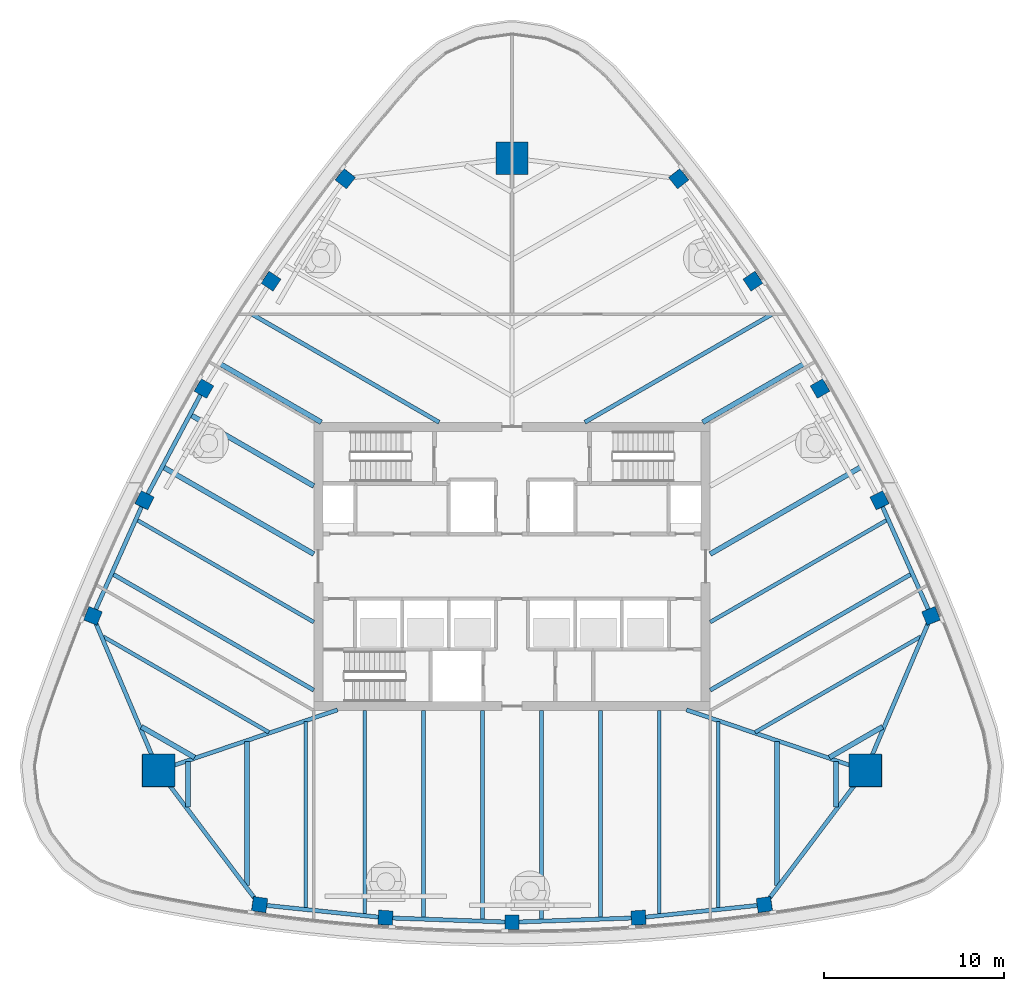
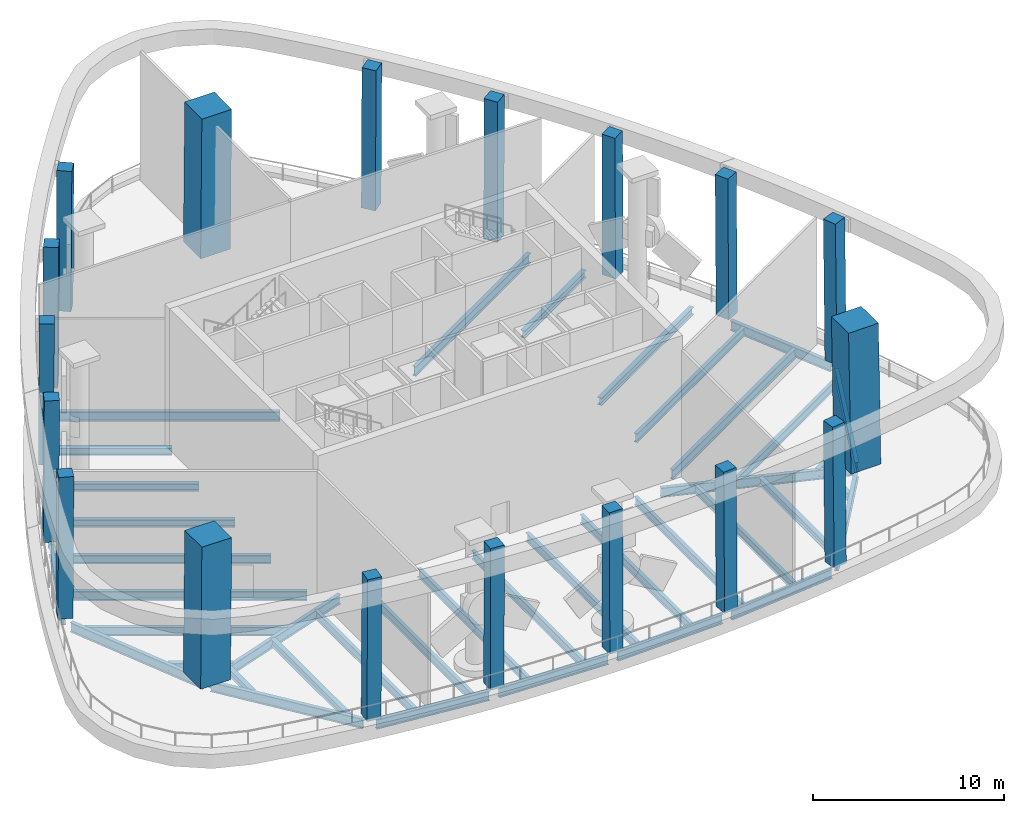
# One storey, part 1 of 12: 40 beams, 18 columns.
"""IFC4 building model written with IfcOpenShell, lengths in metres."""

from ifc_helpers import new_model, si_unit, direction, frame, origin, origin_2d, place, context, subcontext, project, spatial, rectangle, i_section, extrude, clip, halfspace, material, material_profile, profile_set, type_object, element, save


model = new_model("IFC4")

# Units and contexts
model_context = context("Model", 3, precision=1e-05, world=origin(), true_north=direction((0.0, 1.0)))
body_context = subcontext(model_context, "Body", "Model", "MODEL_VIEW")
ifc_project = project(units=[si_unit("LENGTHUNIT", "METRE"), si_unit("AREAUNIT", "SQUARE_METRE"), si_unit("VOLUMEUNIT", "CUBIC_METRE"), si_unit("PLANEANGLEUNIT", "RADIAN"), si_unit("MASSUNIT", "GRAM", prefix="KILO")], contexts=[model_context])

# Site, building, storey
site_placement = place(None, origin())
site = spatial("IfcSite", under=ifc_project, at=site_placement, CompositionType="ELEMENT")
building_placement = place(site_placement, origin())
building = spatial("IfcBuilding", under=site, at=building_placement, Name="Sierra Prisma Convention Tower", CompositionType="ELEMENT")
storey_placement = place(building_placement, frame((0.0, 0.0, 330.39990234375)))
storey = spatial("IfcBuildingStorey", under=building, at=storey_placement, Name="L75", CompositionType="ELEMENT", Elevation=330.39990234375)

# Columns
ifc_material_1 = material(Name="Concrete C50/60", Category="concrete")
ifc_material_profile_1 = material_profile(ifc_material_1, rectangle(XDim=1.800048828125, YDim=1.800048828125, at=origin_2d()), Name="Mega column RC 1800 C50/60")
ifc_profile_set_1 = profile_set([ifc_material_profile_1], Name="Concrete C50/60")
column_type_1 = type_object("IfcColumnType", Name="Mega column RC 1800 C50/60", PredefinedType="COLUMN", material=ifc_profile_set_1)
column_1_placement = place(storey_placement, frame((19.62451171875, -11.330078125, 0.0), z_axis=(-0.012314295745, 0.007079363853, 0.999899115275), x_axis=(0.999924176186, 8.7183991e-05, 0.012313987114)))
element("IfcColumn", 1, at=column_1_placement, inside=storey, type_object=column_type_1, Name="Mega column SE L75", PredefinedType="COLUMN", context=body_context, shape_type="SweptSolid", body=[
    clip(clip(extrude(rectangle(XDim=1.800048828125, YDim=1.800048828125, at=origin_2d()), origin(), (0.0, 0.0, 1.0), 9.0009765625), halfspace(frame((0.0, 0.0, 0.004638671875)), True)), halfspace(frame((0.0, 0.0, 8.991943359375)), False)),
])
column_2_placement = place(storey_placement, frame((0.0, 22.660400390625, 0.0), z_axis=(0.0, -0.014212973933, 0.999898990585), x_axis=(1.0, 0.0, 0.0)))
element("IfcColumn", 2, at=column_2_placement, inside=storey, type_object=column_type_1, Name="Mega column N L75", PredefinedType="COLUMN", context=body_context, shape_type="SweptSolid", body=[
    clip(clip(extrude(rectangle(XDim=1.800048828125, YDim=1.800048828125, at=origin_2d()), origin(), (0.0, 0.0, 1.0), 9.0009765625), halfspace(frame((0.0, 0.0, 0.00341796875)), True)), halfspace(frame((0.0, 0.0, 8.994140625)), False)),
])
column_3_placement = place(storey_placement, frame((-19.62451171875, -11.330078125, 0.0), z_axis=(0.012314295745, 0.007079363853, 0.999899115275), x_axis=(0.999924176186, -8.7183991e-05, -0.012313987114)))
element("IfcColumn", 3, at=column_3_placement, inside=storey, type_object=column_type_1, Name="Mega column SW L75", PredefinedType="COLUMN", context=body_context, shape_type="SweptSolid", body=[
    clip(clip(extrude(rectangle(XDim=1.800048828125, YDim=1.800048828125, at=origin_2d()), origin(), (0.0, 0.0, 1.0), 9.0009765625), halfspace(frame((0.0, 0.0, 0.004638671875)), True)), halfspace(frame((0.0, 0.0, 8.991943359375)), False)),
])
ifc_material_2 = material(Name="Concrete C50/60", Category="concrete")
ifc_material_profile_2 = material_profile(ifc_material_2, rectangle(XDim=0.800048828125, YDim=0.800048828125, at=origin_2d()), Name="Perimeter column RC 800 C50/60")
ifc_profile_set_2 = profile_set([ifc_material_profile_2], Name="Concrete C50/60")
column_type_2 = type_object("IfcColumnType", Name="Perimeter column RC 800 C50/60", PredefinedType="COLUMN", material=ifc_profile_set_2)
column_4_placement = place(storey_placement, frame((-14.01416015625, -18.7744140625, 0.0), z_axis=(0.007730807523, 0.004584233233, 0.999959608895), x_axis=(-0.990410412732, 0.137977794171, 0.007024433605)))
element("IfcColumn", 4, at=column_4_placement, inside=storey, type_object=column_type_2, Name="Perimeter column S-1 L75", PredefinedType="COLUMN", context=body_context, shape_type="SweptSolid", body=[
    clip(clip(extrude(rectangle(XDim=0.800048828125, YDim=0.800048828125, at=origin_2d()), origin(), (0.0, 0.0, 1.0), 9.000244140625), halfspace(frame((0.0, 0.0, 0.001708984375)), True)), halfspace(frame((0.0, 0.0, 8.99755859375)), False)),
])
column_5_placement = place(storey_placement, frame((-7.02392578125, -19.502685546875, 0.0), z_axis=(0.003879046283, 0.004964094195, 0.999980155187), x_axis=(-0.997599573797, 0.069156735942, 0.00352650435)))
element("IfcColumn", 5, at=column_5_placement, inside=storey, type_object=column_type_2, Name="Perimeter column S-2 L75", PredefinedType="COLUMN", context=body_context, shape_type="SweptSolid", body=[
    clip(clip(extrude(rectangle(XDim=0.800048828125, YDim=0.800048828125, at=origin_2d()), origin(), (0.0, 0.0, 1.0), 9.000244140625), halfspace(frame((0.0, 0.0, 0.001220703125)), True)), halfspace(frame((0.0, 0.0, 8.998291015625)), False)),
])
column_6_placement = place(storey_placement, frame((0.0, -19.74560546875, 0.0), z_axis=(0.0, 0.005072634388, 0.999987134107), x_axis=(1.0, 0.0, 0.0)))
element("IfcColumn", 6, at=column_6_placement, inside=storey, type_object=column_type_2, Name="Perimeter column S-3 L75", PredefinedType="COLUMN", context=body_context, shape_type="SweptSolid", body=[
    clip(clip(extrude(rectangle(XDim=0.800048828125, YDim=0.800048828125, at=origin_2d()), origin(), (0.0, 0.0, 1.0), 9.0), halfspace(frame((0.0, 0.0, 0.000732421875)), True)), halfspace(frame((0.0, 0.0, 8.998779296875)), False)),
])
column_7_placement = place(storey_placement, frame((7.02392578125, -19.502685546875, 0.0), z_axis=(-0.003879046283, 0.004964094195, 0.999980155187), x_axis=(0.997599573797, 0.069156735942, 0.00352650435)))
element("IfcColumn", 7, at=column_7_placement, inside=storey, type_object=column_type_2, Name="Perimeter column S-4 L75", PredefinedType="COLUMN", context=body_context, shape_type="SweptSolid", body=[
    clip(clip(extrude(rectangle(XDim=0.800048828125, YDim=0.800048828125, at=origin_2d()), origin(), (0.0, 0.0, 1.0), 9.000244140625), halfspace(frame((0.0, 0.0, 0.001220703125)), True)), halfspace(frame((0.0, 0.0, 8.998291015625)), False)),
])
for number, where, z_axis, x_axis, name in (
    (8, (14.01416015625, -18.7744140625, 0.0), (-0.007730807523, 0.004584233233, 0.999959608895), (0.990410412732, 0.137977794171, 0.007024433605), "Perimeter column S-5 L75"),
    (9, (23.266357421875, -2.74951171875, 0.0), (-0.00786643411, 0.004394352848, 0.999959403615), (-0.375745247871, 0.926696342835, -0.007028291271), "Perimeter column NE-1 L75"),
):
    element("IfcColumn", number, at=place(storey_placement, frame(where, z_axis=z_axis, x_axis=x_axis)), inside=storey, type_object=column_type_2, Name=name, PredefinedType="COLUMN", context=body_context, shape_type="SweptSolid", body=[
        clip(clip(extrude(rectangle(XDim=0.800048828125, YDim=0.800048828125, at=origin_2d()), origin(), (0.0, 0.0, 1.0), 9.000244140625), halfspace(frame((0.0, 0.0, 0.001708984375)), True)), halfspace(frame((0.0, 0.0, 8.99755859375)), False)),
    ])
column_8_placement = place(storey_placement, frame((20.401611328125, 3.66845703125, 0.0), z_axis=(-0.006211900374, 0.00086803848, 0.999980329208), x_axis=(-0.438919479413, 0.898519557244, -0.003506542606)))
element("IfcColumn", 10, at=column_8_placement, inside=storey, type_object=column_type_2, Name="Perimeter column NE-2 L75", PredefinedType="COLUMN", context=body_context, shape_type="SweptSolid", body=[
    clip(clip(extrude(rectangle(XDim=0.800048828125, YDim=0.800048828125, at=origin_2d()), origin(), (0.0, 0.0, 1.0), 9.000244140625), halfspace(frame((0.0, 0.0, 0.001220703125)), True)), halfspace(frame((0.0, 0.0, 8.998291015625)), False)),
])
column_9_placement = place(storey_placement, frame((17.100341796875, 9.872802734375, 0.0), z_axis=(-0.004394474833, -0.002522754071, 0.999987162069), x_axis=(-0.499995172124, 0.866028191052, -1.2440216e-05)))
element("IfcColumn", 11, at=column_9_placement, inside=storey, type_object=column_type_2, Name="Perimeter column NE-3 L75", PredefinedType="COLUMN", context=body_context, shape_type="SweptSolid", body=[
    clip(clip(extrude(rectangle(XDim=0.800048828125, YDim=0.800048828125, at=origin_2d()), origin(), (0.0, 0.0, 1.0), 9.0), halfspace(frame((0.0, 0.0, 0.000732421875)), True)), halfspace(frame((0.0, 0.0, 8.998779296875)), False)),
])
column_10_placement = place(storey_placement, frame((13.377685546875, 15.834228515625, 0.0), z_axis=(-0.002332853282, -0.005832133204, 0.999980271814), x_axis=(-0.558677610991, 0.829377380486, 0.003533796177)))
element("IfcColumn", 12, at=column_10_placement, inside=storey, type_object=column_type_2, Name="Perimeter column NE-4 L75", PredefinedType="COLUMN", context=body_context, shape_type="SweptSolid", body=[
    clip(clip(extrude(rectangle(XDim=0.800048828125, YDim=0.800048828125, at=origin_2d()), origin(), (0.0, 0.0, 1.0), 9.000244140625), halfspace(frame((0.0, 0.0, 0.001220703125)), True)), halfspace(frame((0.0, 0.0, 8.998291015625)), False)),
])
for number, where, z_axis, x_axis, name in (
    (13, (9.252197265625, 21.52392578125, 0.0), (-0.000135628179, -0.009005711089, 0.999959438564), (-0.614683130419, 0.788742903153, 0.007020107102), "Perimeter column NE-5 L75"),
    (14, (-9.252197265625, 21.52392578125, 0.0), (0.000135628179, -0.009005711089, 0.999959438564), (0.614683130419, 0.788742903153, 0.007020107102), "Perimeter column NW-1 L75"),
):
    element("IfcColumn", number, at=place(storey_placement, frame(where, z_axis=z_axis, x_axis=x_axis)), inside=storey, type_object=column_type_2, Name=name, PredefinedType="COLUMN", context=body_context, shape_type="SweptSolid", body=[
        clip(clip(extrude(rectangle(XDim=0.800048828125, YDim=0.800048828125, at=origin_2d()), origin(), (0.0, 0.0, 1.0), 9.000244140625), halfspace(frame((0.0, 0.0, 0.001708984375)), True)), halfspace(frame((0.0, 0.0, 8.99755859375)), False)),
    ])
column_11_placement = place(storey_placement, frame((-13.377685546875, 15.834228515625, 0.0), z_axis=(0.002332853282, -0.005832133204, 0.999980271814), x_axis=(0.558677610991, 0.829377380486, 0.003533796177)))
element("IfcColumn", 15, at=column_11_placement, inside=storey, type_object=column_type_2, Name="Perimeter column NW-2 L75", PredefinedType="COLUMN", context=body_context, shape_type="SweptSolid", body=[
    clip(clip(extrude(rectangle(XDim=0.800048828125, YDim=0.800048828125, at=origin_2d()), origin(), (0.0, 0.0, 1.0), 9.000244140625), halfspace(frame((0.0, 0.0, 0.001220703125)), True)), halfspace(frame((0.0, 0.0, 8.998291015625)), False)),
])
column_12_placement = place(storey_placement, frame((-17.100341796875, 9.872802734375, 0.0), z_axis=(0.004394474833, -0.002522754071, 0.999987162069), x_axis=(0.499995172124, 0.866028191052, -1.2440216e-05)))
element("IfcColumn", 16, at=column_12_placement, inside=storey, type_object=column_type_2, Name="Perimeter column NW-3 L75", PredefinedType="COLUMN", context=body_context, shape_type="SweptSolid", body=[
    clip(clip(extrude(rectangle(XDim=0.800048828125, YDim=0.800048828125, at=origin_2d()), origin(), (0.0, 0.0, 1.0), 9.0), halfspace(frame((0.0, 0.0, 0.000732421875)), True)), halfspace(frame((0.0, 0.0, 8.998779296875)), False)),
])
column_13_placement = place(storey_placement, frame((-20.401611328125, 3.66845703125, 0.0), z_axis=(0.006211900374, 0.00086803848, 0.999980329208), x_axis=(0.438919479413, 0.898519557244, -0.003506542606)))
element("IfcColumn", 17, at=column_13_placement, inside=storey, type_object=column_type_2, Name="Perimeter column NW-4 L75", PredefinedType="COLUMN", context=body_context, shape_type="SweptSolid", body=[
    clip(clip(extrude(rectangle(XDim=0.800048828125, YDim=0.800048828125, at=origin_2d()), origin(), (0.0, 0.0, 1.0), 9.000244140625), halfspace(frame((0.0, 0.0, 0.001220703125)), True)), halfspace(frame((0.0, 0.0, 8.998291015625)), False)),
])
column_14_placement = place(storey_placement, frame((-23.266357421875, -2.74951171875, 0.0), z_axis=(0.00786643411, 0.004394352848, 0.999959403615), x_axis=(0.375745247871, 0.926696342835, -0.007028291271)))
element("IfcColumn", 18, at=column_14_placement, inside=storey, type_object=column_type_2, Name="Perimeter column NW-5 L75", PredefinedType="COLUMN", context=body_context, shape_type="SweptSolid", body=[
    clip(clip(extrude(rectangle(XDim=0.800048828125, YDim=0.800048828125, at=origin_2d()), origin(), (0.0, 0.0, 1.0), 9.000244140625), halfspace(frame((0.0, 0.0, 0.001708984375)), True)), halfspace(frame((0.0, 0.0, 8.99755859375)), False)),
])

# Beams
ifc_material_3 = material(Name="Steel ASTM A992 Gr 50", Category="steel")
ifc_material_profile_3 = material_profile(ifc_material_3, i_section(OverallWidth=0.280029296875, OverallDepth=0.462890625, WebThickness=0.0107421875, FlangeThickness=0.017333984375, at=origin_2d()), Name="W460x113")
ifc_profile_set_3 = profile_set([ifc_material_profile_3], Name="Steel ASTM A992 Gr 50")
beam_type_1 = type_object("IfcBeamType", Name="Plant floor joist W460x113", PredefinedType="JOIST", material=ifc_profile_set_3)
beam_1_placement = place(storey_placement, frame((-17.989013671875, -13.359130859375, -0.4814453125), z_axis=(0.0, 1.0, 0.0), x_axis=(-1.0, 0.0, 0.0)))
element("IfcBeam", 19, at=beam_1_placement, inside=storey, type_object=beam_type_1, Name="Floor joist L75 S01", PredefinedType="JOIST", context=body_context, shape_type="SweptSolid", body=[
    extrude(i_section(OverallWidth=0.280029296875, OverallDepth=0.462890625, WebThickness=0.0107421875, FlangeThickness=0.017333984375, at=origin_2d()), origin(), (0.0, 0.0, 1.0), 2.53515625),
])
for number, where, z_axis, x_axis, name in (
    (20, (-14.71826171875, -17.69921875, -0.4814453125), (0.0, 1.0, 0.0), (-1.0, 0.0, 0.0), "Floor joist L75 S02"),
    (21, (14.71826171875, -17.69921875, -0.4814453125), (0.0, 1.0, 0.0), (-1.0, 0.0, 0.0), "Floor joist L75 S11"),
):
    element("IfcBeam", number, at=place(storey_placement, frame(where, z_axis=z_axis, x_axis=x_axis)), inside=storey, type_object=beam_type_1, Name=name, PredefinedType="JOIST", context=body_context, shape_type="SweptSolid", body=[
        extrude(i_section(OverallWidth=0.280029296875, OverallDepth=0.462890625, WebThickness=0.0107421875, FlangeThickness=0.017333984375, at=origin_2d()), origin(), (0.0, 0.0, 1.0), 7.98388671875),
    ])
beam_2_placement = place(storey_placement, frame((17.989013671875, -13.359130859375, -0.4814453125), z_axis=(0.0, 1.0, 0.0), x_axis=(-1.0, 0.0, 0.0)))
element("IfcBeam", 22, at=beam_2_placement, inside=storey, type_object=beam_type_1, Name="Floor joist L75 S12", PredefinedType="JOIST", context=body_context, shape_type="SweptSolid", body=[
    extrude(i_section(OverallWidth=0.280029296875, OverallDepth=0.462890625, WebThickness=0.0107421875, FlangeThickness=0.017333984375, at=origin_2d()), origin(), (0.0, 0.0, 1.0), 2.53515625),
])
beam_3_placement = place(storey_placement, frame((20.563720703125, -8.8994140625, -0.4814453125), z_axis=(-0.866005207655, -0.500034979091, 0.0), x_axis=(0.500034979091, -0.866005207655, 0.0)))
element("IfcBeam", 23, at=beam_3_placement, inside=storey, type_object=beam_type_1, Name="Floor joist L75 NE01", PredefinedType="JOIST", context=body_context, shape_type="SweptSolid", body=[
    extrude(i_section(OverallWidth=0.280029296875, OverallDepth=0.462890625, WebThickness=0.0107421875, FlangeThickness=0.017333984375, at=origin_2d()), origin(), (0.0, 0.0, 1.0), 3.403564453125),
])
beam_4_placement = place(storey_placement, frame((19.349853515625, 5.506591796875, -0.4814453125), z_axis=(-0.866024927445, -0.500000825044, 0.0), x_axis=(0.500000825044, -0.866024927445, 0.0)))
element("IfcBeam", 24, at=beam_4_placement, inside=storey, type_object=beam_type_1, Name="Floor joist L75 NE05", PredefinedType="JOIST", context=body_context, shape_type="SweptSolid", body=[
    extrude(i_section(OverallWidth=0.280029296875, OverallDepth=0.462890625, WebThickness=0.0107421875, FlangeThickness=0.017333984375, at=origin_2d()), origin(), (0.0, 0.0, 1.0), 9.6416015625),
])
for number, where, z_axis, x_axis, name in (
    (25, (16.17724609375, 11.228271484375, -0.4814453125), (-0.866026275099, -0.499998490837, 0.0), (0.499998490837, -0.866026275099, 0.0), "Floor joist L75 NE07"),
    (26, (-16.17724609375, 11.228271484375, -0.4814453125), (0.866026275099, -0.499998490837, 0.0), (0.499998490837, 0.866026275099, 0.0), "Floor joist L75 NW06"),
):
    element("IfcBeam", number, at=place(storey_placement, frame(where, z_axis=z_axis, x_axis=x_axis)), inside=storey, type_object=beam_type_1, Name=name, PredefinedType="JOIST", context=body_context, shape_type="SweptSolid", body=[
        extrude(i_section(OverallWidth=0.280029296875, OverallDepth=0.462890625, WebThickness=0.0107421875, FlangeThickness=0.017333984375, at=origin_2d()), origin(), (0.0, 0.0, 1.0), 6.45654296875),
    ])
beam_5_placement = place(storey_placement, frame((-17.8125, 8.395751953125, -0.4814453125), z_axis=(0.866017097294, -0.500014386988, 0.0), x_axis=(0.500014386988, 0.866017097294, 0.0)))
element("IfcBeam", 27, at=beam_5_placement, inside=storey, type_object=beam_type_1, Name="Floor joist L75 NW07", PredefinedType="JOIST", context=body_context, shape_type="SweptSolid", body=[
    extrude(i_section(OverallWidth=0.280029296875, OverallDepth=0.462890625, WebThickness=0.0107421875, FlangeThickness=0.017333984375, at=origin_2d()), origin(), (0.0, 0.0, 1.0), 7.866455078125),
])
beam_6_placement = place(storey_placement, frame((-19.349853515625, 5.506591796875, -0.4814453125), z_axis=(0.866024927445, -0.500000825044, 0.0), x_axis=(0.500000825044, 0.866024927445, 0.0)))
element("IfcBeam", 28, at=beam_6_placement, inside=storey, type_object=beam_type_1, Name="Floor joist L75 NW08", PredefinedType="JOIST", context=body_context, shape_type="SweptSolid", body=[
    extrude(i_section(OverallWidth=0.280029296875, OverallDepth=0.462890625, WebThickness=0.0107421875, FlangeThickness=0.017333984375, at=origin_2d()), origin(), (0.0, 0.0, 1.0), 9.6416015625),
])
beam_7_placement = place(storey_placement, frame((-20.563720703125, -8.8994140625, -0.4814453125), z_axis=(0.866005207655, -0.500034979091, 0.0), x_axis=(0.500034979091, 0.866005207655, 0.0)))
element("IfcBeam", 29, at=beam_7_placement, inside=storey, type_object=beam_type_1, Name="Floor joist L75 NW12", PredefinedType="JOIST", context=body_context, shape_type="SweptSolid", body=[
    extrude(i_section(OverallWidth=0.280029296875, OverallDepth=0.462890625, WebThickness=0.0107421875, FlangeThickness=0.017333984375, at=origin_2d()), origin(), (0.0, 0.0, 1.0), 3.403564453125),
])
ifc_material_4 = material(Name="Steel ASTM A992 Gr 50", Category="steel")
ifc_material_profile_4 = material_profile(ifc_material_4, i_section(OverallWidth=0.2119140625, OverallDepth=0.5439453125, WebThickness=0.01318359375, FlangeThickness=0.021240234375, at=origin_2d()), Name="W530x123")
ifc_profile_set_4 = profile_set([ifc_material_profile_4], Name="Steel ASTM A992 Gr 50")
beam_type_2 = type_object("IfcBeamType", Name="Plant floor joist W530x123", PredefinedType="JOIST", material=ifc_profile_set_4)
beam_8_placement = place(storey_placement, frame((-11.447509765625, -18.976318359375, -0.52197265625), z_axis=(0.0, 1.0, 0.0), x_axis=(-1.0, 0.0, 0.0)))
element("IfcBeam", 30, at=beam_8_placement, inside=storey, type_object=beam_type_2, Name="Floor joist L75 S03", PredefinedType="JOIST", context=body_context, shape_type="SweptSolid", body=[
    extrude(i_section(OverallWidth=0.2119140625, OverallDepth=0.5439453125, WebThickness=0.01318359375, FlangeThickness=0.021240234375, at=origin_2d()), origin(), (0.0, 0.0, 1.0), 10.36962890625),
])
beam_9_placement = place(storey_placement, frame((-8.1767578125, -19.31689453125, -0.52197265625), z_axis=(0.0, 1.0, 0.0), x_axis=(-1.0, 0.0, 0.0)))
element("IfcBeam", 31, at=beam_9_placement, inside=storey, type_object=beam_type_2, Name="Floor joist L75 S04", PredefinedType="JOIST", context=body_context, shape_type="SweptSolid", body=[
    extrude(i_section(OverallWidth=0.2119140625, OverallDepth=0.5439453125, WebThickness=0.01318359375, FlangeThickness=0.021240234375, at=origin_2d()), origin(), (0.0, 0.0, 1.0), 11.31689453125),
])
beam_10_placement = place(storey_placement, frame((-4.906005859375, -19.5107421875, -0.52197265625), z_axis=(0.0, 1.0, 0.0), x_axis=(-1.0, 0.0, 0.0)))
element("IfcBeam", 32, at=beam_10_placement, inside=storey, type_object=beam_type_2, Name="Floor joist L75 S05", PredefinedType="JOIST", context=body_context, shape_type="SweptSolid", body=[
    extrude(i_section(OverallWidth=0.2119140625, OverallDepth=0.5439453125, WebThickness=0.01318359375, FlangeThickness=0.021240234375, at=origin_2d()), origin(), (0.0, 0.0, 1.0), 11.5107421875),
])
for number, where, z_axis, x_axis, name in (
    (33, (-1.63525390625, -19.6240234375, -0.52197265625), (0.0, 1.0, 0.0), (-1.0, 0.0, 0.0), "Floor joist L75 S06"),
    (34, (1.63525390625, -19.6240234375, -0.52197265625), (0.0, 1.0, 0.0), (-1.0, 0.0, 0.0), "Floor joist L75 S07"),
):
    element("IfcBeam", number, at=place(storey_placement, frame(where, z_axis=z_axis, x_axis=x_axis)), inside=storey, type_object=beam_type_2, Name=name, PredefinedType="JOIST", context=body_context, shape_type="SweptSolid", body=[
        extrude(i_section(OverallWidth=0.2119140625, OverallDepth=0.5439453125, WebThickness=0.01318359375, FlangeThickness=0.021240234375, at=origin_2d()), origin(), (0.0, 0.0, 1.0), 11.6240234375),
    ])
beam_11_placement = place(storey_placement, frame((4.906005859375, -19.5107421875, -0.52197265625), z_axis=(0.0, 1.0, 0.0), x_axis=(-1.0, 0.0, 0.0)))
element("IfcBeam", 35, at=beam_11_placement, inside=storey, type_object=beam_type_2, Name="Floor joist L75 S08", PredefinedType="JOIST", context=body_context, shape_type="SweptSolid", body=[
    extrude(i_section(OverallWidth=0.2119140625, OverallDepth=0.5439453125, WebThickness=0.01318359375, FlangeThickness=0.021240234375, at=origin_2d()), origin(), (0.0, 0.0, 1.0), 11.5107421875),
])
beam_12_placement = place(storey_placement, frame((8.1767578125, -19.31689453125, -0.52197265625), z_axis=(0.0, 1.0, 0.0), x_axis=(-1.0, 0.0, 0.0)))
element("IfcBeam", 36, at=beam_12_placement, inside=storey, type_object=beam_type_2, Name="Floor joist L75 S09", PredefinedType="JOIST", context=body_context, shape_type="SweptSolid", body=[
    extrude(i_section(OverallWidth=0.2119140625, OverallDepth=0.5439453125, WebThickness=0.01318359375, FlangeThickness=0.021240234375, at=origin_2d()), origin(), (0.0, 0.0, 1.0), 11.31689453125),
])
beam_13_placement = place(storey_placement, frame((11.447509765625, -18.976318359375, -0.52197265625), z_axis=(0.0, 1.0, 0.0), x_axis=(-1.0, 0.0, 0.0)))
element("IfcBeam", 37, at=beam_13_placement, inside=storey, type_object=beam_type_2, Name="Floor joist L75 S10", PredefinedType="JOIST", context=body_context, shape_type="SweptSolid", body=[
    extrude(i_section(OverallWidth=0.2119140625, OverallDepth=0.5439453125, WebThickness=0.01318359375, FlangeThickness=0.021240234375, at=origin_2d()), origin(), (0.0, 0.0, 1.0), 10.36962890625),
])
beam_14_placement = place(storey_placement, frame((22.68701171875, -3.896728515625, -0.52197265625), z_axis=(-0.866025101874, -0.500000522924, 0.0), x_axis=(0.500000522924, -0.866025101874, 0.0)))
element("IfcBeam", 38, at=beam_14_placement, inside=storey, type_object=beam_type_2, Name="Floor joist L75 NE02", PredefinedType="JOIST", context=body_context, shape_type="SweptSolid", body=[
    extrude(i_section(OverallWidth=0.2119140625, OverallDepth=0.5439453125, WebThickness=0.01318359375, FlangeThickness=0.021240234375, at=origin_2d()), origin(), (0.0, 0.0, 1.0), 10.61474609375),
])
for number, where, z_axis, x_axis, name in (
    (39, (20.8173828125, 2.5771484375, -0.52197265625), (-0.866029218166, -0.499993393239, 0.0), (0.499993393239, -0.866029218166, 0.0), "Floor joist L75 NE04"),
    (40, (-20.8173828125, 2.5771484375, -0.52197265625), (0.866029218166, -0.499993393239, 0.0), (0.499993393239, 0.866029218166, 0.0), "Floor joist L75 NW09"),
):
    element("IfcBeam", number, at=place(storey_placement, frame(where, z_axis=z_axis, x_axis=x_axis)), inside=storey, type_object=beam_type_2, Name=name, PredefinedType="JOIST", context=body_context, shape_type="SweptSolid", body=[
        extrude(i_section(OverallWidth=0.2119140625, OverallDepth=0.5439453125, WebThickness=0.01318359375, FlangeThickness=0.021240234375, at=origin_2d()), origin(), (0.0, 0.0, 1.0), 11.336181640625),
    ])
beam_15_placement = place(storey_placement, frame((-22.68701171875, -3.896728515625, -0.52197265625), z_axis=(0.866025101874, -0.500000522924, 0.0), x_axis=(0.500000522924, 0.866025101874, 0.0)))
element("IfcBeam", 41, at=beam_15_placement, inside=storey, type_object=beam_type_2, Name="Floor joist L75 NW11", PredefinedType="JOIST", context=body_context, shape_type="SweptSolid", body=[
    extrude(i_section(OverallWidth=0.2119140625, OverallDepth=0.5439453125, WebThickness=0.01318359375, FlangeThickness=0.021240234375, at=origin_2d()), origin(), (0.0, 0.0, 1.0), 10.61474609375),
])
ifc_material_5 = material(Name="Steel ASTM A992 Gr 50", Category="steel")
ifc_material_profile_5 = material_profile(ifc_material_5, i_section(OverallWidth=0.22900390625, OverallDepth=0.612060546875, WebThickness=0.011962890625, FlangeThickness=0.01953125, at=origin_2d()), Name="W610x125")
ifc_profile_set_5 = profile_set([ifc_material_profile_5], Name="Steel ASTM A992 Gr 50")
beam_type_3 = type_object("IfcBeamType", Name="Plant floor joist W610x125", PredefinedType="JOIST", material=ifc_profile_set_5)
beam_16_placement = place(storey_placement, frame((22.15771484375, -0.42578125, -0.555908203125), z_axis=(-0.866025912535, -0.499999118817, 0.0), x_axis=(0.499999118817, -0.866025912535, 0.0)))
element("IfcBeam", 42, at=beam_16_placement, inside=storey, type_object=beam_type_3, Name="Floor joist L75 NE03", PredefinedType="JOIST", context=body_context, shape_type="SweptSolid", body=[
    extrude(i_section(OverallWidth=0.22900390625, OverallDepth=0.612060546875, WebThickness=0.011962890625, FlangeThickness=0.01953125, at=origin_2d()), origin(), (0.0, 0.0, 1.0), 12.8837890625),
])
for number, where, z_axis, x_axis, name in (
    (43, (14.44384765625, 14.004150390625, -0.555908203125), (-0.866028831983, -0.499994062139, 0.0), (0.499994062139, -0.866028831983, 0.0), "Floor joist L75 NE08"),
    (44, (-14.44384765625, 14.004150390625, -0.555908203125), (0.866028831983, -0.499994062139, 0.0), (0.499994062139, 0.866028831983, 0.0), "Floor joist L75 NW05"),
):
    element("IfcBeam", number, at=place(storey_placement, frame(where, z_axis=z_axis, x_axis=x_axis)), inside=storey, type_object=beam_type_3, Name=name, PredefinedType="JOIST", context=body_context, shape_type="SweptSolid", body=[
        extrude(i_section(OverallWidth=0.22900390625, OverallDepth=0.612060546875, WebThickness=0.011962890625, FlangeThickness=0.01953125, at=origin_2d()), origin(), (0.0, 0.0, 1.0), 12.008544921875),
    ])
beam_17_placement = place(storey_placement, frame((-22.15771484375, -0.42578125, -0.555908203125), z_axis=(0.866025912535, -0.499999118817, 0.0), x_axis=(0.499999118817, 0.866025912535, 0.0)))
element("IfcBeam", 45, at=beam_17_placement, inside=storey, type_object=beam_type_3, Name="Floor joist L75 NW10", PredefinedType="JOIST", context=body_context, shape_type="SweptSolid", body=[
    extrude(i_section(OverallWidth=0.22900390625, OverallDepth=0.612060546875, WebThickness=0.011962890625, FlangeThickness=0.01953125, at=origin_2d()), origin(), (0.0, 0.0, 1.0), 12.8837890625),
])
ifc_material_6 = material(Name="Steel ASTM A992 Gr 50", Category="steel")
ifc_material_profile_6 = material_profile(ifc_material_6, i_section(OverallWidth=0.22802734375, OverallDepth=0.60302734375, WebThickness=0.010498046875, FlangeThickness=0.014892578125, at=origin_2d()), Name="W610x101")
ifc_profile_set_6 = profile_set([ifc_material_profile_6], Name="Steel ASTM A992 Gr 50")
beam_type_4 = type_object("IfcBeamType", Name="Radial girder W610x101", PredefinedType="BEAM", material=ifc_profile_set_6)
for number, where, z_axis, x_axis, name in (
    (46, (19.4443359375, -11.26904296875, -0.551513671875), (-0.947071740467, 0.321021990539, 0.0), (-0.321021990539, -0.947071740467, 0.0), "Radial girder L75 SE"),
    (47, (-19.4443359375, -11.26904296875, -0.551513671875), (0.947071740467, 0.321021990539, 0.0), (-0.321021990539, 0.947071740467, 0.0), "Radial girder L75 SW"),
):
    element("IfcBeam", number, at=place(storey_placement, frame(where, z_axis=z_axis, x_axis=x_axis)), inside=storey, type_object=beam_type_4, Name=name, PredefinedType="BEAM", context=body_context, shape_type="SweptSolid", body=[
        extrude(i_section(OverallWidth=0.22802734375, OverallDepth=0.60302734375, WebThickness=0.010498046875, FlangeThickness=0.014892578125, at=origin_2d()), origin(), (0.0, 0.0, 1.0), 10.303466796875),
    ])
ifc_material_7 = material(Name="Steel ASTM A992 Gr 50", Category="steel")
ifc_material_profile_7 = material_profile(ifc_material_7, i_section(OverallWidth=0.22998046875, OverallDepth=0.616943359375, WebThickness=0.01318359375, FlangeThickness=0.022216796875, at=origin_2d()), Name="W610x140")
ifc_profile_set_7 = profile_set([ifc_material_profile_7], Name="Steel ASTM A992 Gr 50")
beam_type_5 = type_object("IfcBeamType", Name="Spandrel beam W610x140", PredefinedType="BEAM", material=ifc_profile_set_7)
beam_18_placement = place(storey_placement, frame((-19.48876953125, -11.51025390625, -0.558349609375), z_axis=(0.601854152039, -0.798606022813, 0.0), x_axis=(0.798606022813, 0.601854152039, 0.0)))
element("IfcBeam", 48, at=beam_18_placement, inside=storey, type_object=beam_type_5, Name="Spandrel L75-01", PredefinedType="BEAM", context=body_context, shape_type="SweptSolid", body=[
    extrude(i_section(OverallWidth=0.22998046875, OverallDepth=0.616943359375, WebThickness=0.01318359375, FlangeThickness=0.022216796875, at=origin_2d()), origin(), (0.0, 0.0, 1.0), 8.651123046875),
])
beam_19_placement = place(storey_placement, frame((-13.7353515625, -18.803466796875, -0.558349609375), z_axis=(0.994616787935, -0.103621644257, 0.0), x_axis=(0.103621644257, 0.994616787935, 0.0)))
element("IfcBeam", 49, at=beam_19_placement, inside=storey, type_object=beam_type_5, Name="Spandrel L75-02", PredefinedType="BEAM", context=body_context, shape_type="SweptSolid", body=[
    extrude(i_section(OverallWidth=0.22998046875, OverallDepth=0.616943359375, WebThickness=0.01318359375, FlangeThickness=0.022216796875, at=origin_2d()), origin(), (0.0, 0.0, 1.0), 6.467529296875),
])
for number, where, z_axis, x_axis, name in (
    (50, (-6.743896484375, -19.51220703125, -0.558349609375), (0.99940074259, -0.034614385895, 0.0), (0.034614385895, 0.99940074259, 0.0), "Spandrel L75-03"),
    (51, (0.280029296875, -19.736083984375, -0.558349609375), (0.99940074259, 0.034614385895, 0.0), (-0.034614385895, 0.99940074259, 0.0), "Spandrel L75-04"),
):
    element("IfcBeam", number, at=place(storey_placement, frame(where, z_axis=z_axis, x_axis=x_axis)), inside=storey, type_object=beam_type_5, Name=name, PredefinedType="BEAM", context=body_context, shape_type="SweptSolid", body=[
        extrude(i_section(OverallWidth=0.22998046875, OverallDepth=0.616943359375, WebThickness=0.01318359375, FlangeThickness=0.022216796875, at=origin_2d()), origin(), (0.0, 0.0, 1.0), 6.4677734375),
    ])
beam_20_placement = place(storey_placement, frame((7.302734375, -19.4736328125, -0.558349609375), z_axis=(0.994616787935, 0.103621644257, 0.0), x_axis=(-0.103621644257, 0.994616787935, 0.0)))
element("IfcBeam", 52, at=beam_20_placement, inside=storey, type_object=beam_type_5, Name="Spandrel L75-05", PredefinedType="BEAM", context=body_context, shape_type="SweptSolid", body=[
    extrude(i_section(OverallWidth=0.22998046875, OverallDepth=0.616943359375, WebThickness=0.01318359375, FlangeThickness=0.022216796875, at=origin_2d()), origin(), (0.0, 0.0, 1.0), 6.467529296875),
])
beam_21_placement = place(storey_placement, frame((14.281982421875, -18.419189453125, -0.558349609375), z_axis=(0.601854152039, 0.798606022813, 0.0), x_axis=(-0.798606022813, 0.601854152039, 0.0)))
element("IfcBeam", 53, at=beam_21_placement, inside=storey, type_object=beam_type_5, Name="Spandrel L75-06", PredefinedType="BEAM", context=body_context, shape_type="SweptSolid", body=[
    extrude(i_section(OverallWidth=0.22998046875, OverallDepth=0.616943359375, WebThickness=0.01318359375, FlangeThickness=0.022216796875, at=origin_2d()), origin(), (0.0, 0.0, 1.0), 8.651123046875),
])
beam_22_placement = place(storey_placement, frame((19.70068359375, -11.150146484375, -0.558349609375), z_axis=(0.390709451306, 0.92051405457, 0.0), x_axis=(-0.92051405457, 0.390709451306, 0.0)))
element("IfcBeam", 54, at=beam_22_placement, inside=storey, type_object=beam_type_5, Name="Spandrel L75-07", PredefinedType="BEAM", context=body_context, shape_type="SweptSolid", body=[
    extrude(i_section(OverallWidth=0.22998046875, OverallDepth=0.616943359375, WebThickness=0.01318359375, FlangeThickness=0.022216796875, at=origin_2d()), origin(), (0.0, 0.0, 1.0), 8.68115234375),
])
for number, where, z_axis, x_axis, name in (
    (55, (23.152099609375, -2.493408203125, -0.558349609375), (-0.40760194114, 0.913159710883, 0.0), (-0.913159710883, -0.40760194114, 0.0), "Spandrel L75-08"),
    (56, (-17.23193359375, 9.62548828125, -0.558349609375), (-0.469733790887, -0.882808113748, 0.0), (0.882808113748, -0.469733790887, 0.0), "Spandrel L75-16"),
    (57, (-20.515869140625, 3.41259765625, -0.558349609375), (-0.40760194114, -0.913159710883, 0.0), (0.913159710883, -0.40760194114, 0.0), "Spandrel L75-17"),
):
    element("IfcBeam", number, at=place(storey_placement, frame(where, z_axis=z_axis, x_axis=x_axis)), inside=storey, type_object=beam_type_5, Name=name, PredefinedType="BEAM", context=body_context, shape_type="SweptSolid", body=[
        extrude(i_section(OverallWidth=0.22998046875, OverallDepth=0.616943359375, WebThickness=0.01318359375, FlangeThickness=0.022216796875, at=origin_2d()), origin(), (0.0, 0.0, 1.0), 6.4677734375),
    ])
beam_23_placement = place(storey_placement, frame((-23.092529296875, -3.158935546875, -0.558349609375), z_axis=(0.390709451306, -0.92051405457, 0.0), x_axis=(0.92051405457, 0.390709451306, 0.0)))
element("IfcBeam", 58, at=beam_23_placement, inside=storey, type_object=beam_type_5, Name="Spandrel L75-18", PredefinedType="BEAM", context=body_context, shape_type="SweptSolid", body=[
    extrude(i_section(OverallWidth=0.22998046875, OverallDepth=0.616943359375, WebThickness=0.01318359375, FlangeThickness=0.022216796875, at=origin_2d()), origin(), (0.0, 0.0, 1.0), 8.68115234375),
])

save(model, "model.ifc")
